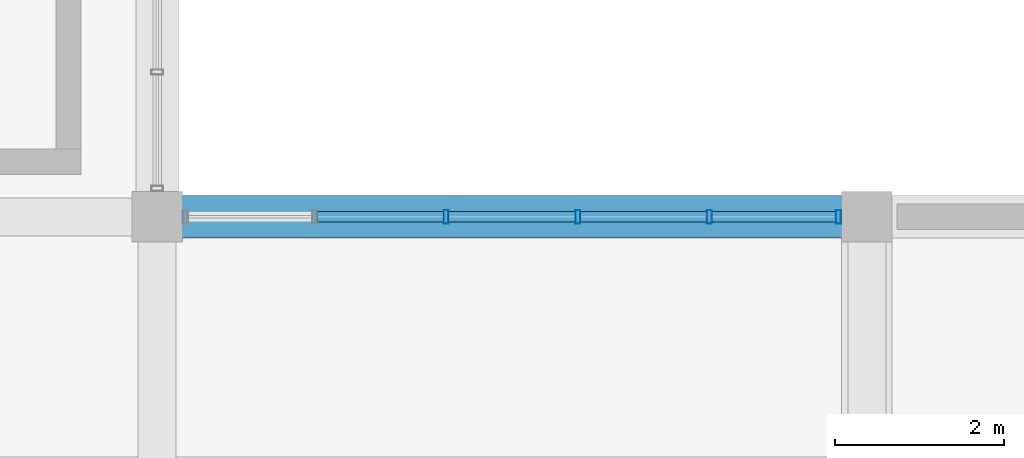
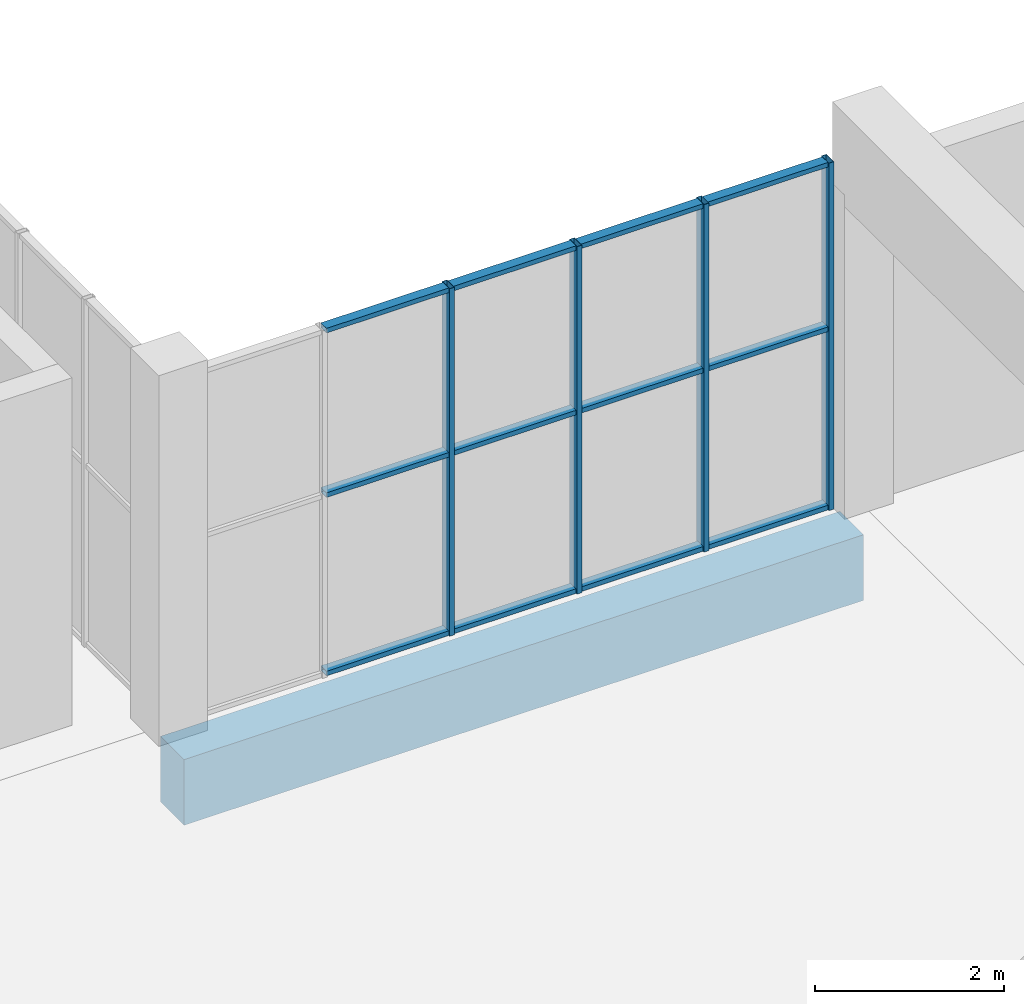
# One storey, part 33 of 80: 16 members, 1 beam, 1 element without a shape of its own.
"""IFC4 building model written with IfcOpenShell, lengths in metres."""

from ifc_helpers import new_model, si_unit, direction, frame, origin, origin_2d, place, context, subcontext, project, spatial, rectangle, hollow_rectangle, extrude, material, material_profile, profile_set, type_object, element, aggregate, save


model = new_model("IFC4")

# Units and contexts
model_context = context("Model", 3, precision=1e-05, world=origin(), true_north=direction((0.0, 1.0)))
body_context = subcontext(model_context, "Body", "Model", "MODEL_VIEW")
ifc_project = project(units=[si_unit("LENGTHUNIT", "METRE"), si_unit("AREAUNIT", "SQUARE_METRE"), si_unit("VOLUMEUNIT", "CUBIC_METRE"), si_unit("PLANEANGLEUNIT", "RADIAN"), si_unit("MASSUNIT", "GRAM", prefix="KILO")], contexts=[model_context])

# Site, building, storey
site_placement = place(None, origin())
site = spatial("IfcSite", under=ifc_project, at=site_placement, CompositionType="ELEMENT")
building_placement = place(site_placement, origin())
building = spatial("IfcBuilding", under=site, at=building_placement, Name="Khurvash Pelagic Aquarium", CompositionType="ELEMENT")
storey_placement = place(building_placement, frame((0.0, 0.0, 10.800048828125)))
storey = spatial("IfcBuildingStorey", under=building, at=storey_placement, Name="L02", CompositionType="ELEMENT", Elevation=10.800048828125)

# Curtain wall, members
ifc_material_1 = material(Name="Anodised aluminium and low-E laminated glass", Category="aluminium")
curtain_wall_type = type_object("IfcCurtainWallType", Name="CW-06", PredefinedType="USERDEFINED", material=ifc_material_1)
curtain_wall_placement = place(storey_placement, origin())
curtain_wall = element("IfcCurtainWall", 1, at=curtain_wall_placement, inside=storey, type_object=curtain_wall_type, Name="L02 Facade Unitised Curtain Wall CW-06 0161", ObjectType="UNITISED CURTAIN WALL", PredefinedType="USERDEFINED")
ifc_material_2 = material(Name="Extruded aluminium AW-6063-T6", Category="aluminium")
ifc_material_profile_1 = material_profile(ifc_material_2, hollow_rectangle(XDim=0.06005859375, YDim=0.159912109375, WallThickness=0.00390625, at=origin_2d()), Name="CWM60X160X4")
ifc_profile_set_1 = profile_set([ifc_material_profile_1], Name="Extruded aluminium AW-6063-T6")
member_type_1 = type_object("IfcMemberType", Name="CM-02", PredefinedType="MULLION", material=ifc_profile_set_1)
member_1_placement = place(storey_placement, frame((125.6650390625, 84.050048828125, 0.0), z_axis=(0.0, 0.0, 1.0), x_axis=(-1.0, 0.0, 0.0)))
member_1 = element("IfcMember", 2, at=member_1_placement, type_object=member_type_1, Name="CW-06 mullion 1", PredefinedType="MULLION", context=body_context, shape_type="SweptSolid", body=[
    extrude(hollow_rectangle(XDim=0.06005859375, YDim=0.159912109375, WallThickness=0.00390625, at=origin_2d()), origin(), (0.0, 0.0, 1.0), 4.5),
])
member_2_placement = place(storey_placement, frame((124.136962890625, 84.050048828125, 0.0), z_axis=(0.0, 0.0, 1.0), x_axis=(-1.0, 0.0, 0.0)))
member_2 = element("IfcMember", 3, at=member_2_placement, type_object=member_type_1, Name="CW-06 mullion 2", PredefinedType="MULLION", context=body_context, shape_type="SweptSolid", body=[
    extrude(hollow_rectangle(XDim=0.06005859375, YDim=0.159912109375, WallThickness=0.00390625, at=origin_2d()), origin(), (0.0, 0.0, 1.0), 4.5),
])
member_3_placement = place(storey_placement, frame((122.5791015625, 84.050048828125, 0.0), z_axis=(0.0, 0.0, 1.0), x_axis=(-1.0, 0.0, 0.0)))
member_3 = element("IfcMember", 4, at=member_3_placement, type_object=member_type_1, Name="CW-06 mullion 3", PredefinedType="MULLION", context=body_context, shape_type="SweptSolid", body=[
    extrude(hollow_rectangle(XDim=0.06005859375, YDim=0.159912109375, WallThickness=0.00390625, at=origin_2d()), origin(), (0.0, 0.0, 1.0), 4.5),
])
member_4_placement = place(storey_placement, frame((121.02099609375, 84.050048828125, 0.0), z_axis=(0.0, 0.0, 1.0), x_axis=(-1.0, 0.0, 0.0)))
member_4 = element("IfcMember", 5, at=member_4_placement, type_object=member_type_1, Name="CW-06 mullion 4", PredefinedType="MULLION", context=body_context, shape_type="SweptSolid", body=[
    extrude(hollow_rectangle(XDim=0.06005859375, YDim=0.159912109375, WallThickness=0.00390625, at=origin_2d()), origin(), (0.0, 0.0, 1.0), 4.5),
])
ifc_material_profile_2 = material_profile(ifc_material_2, hollow_rectangle(XDim=0.1201171875, YDim=0.06005859375, WallThickness=0.00390625, at=origin_2d()), Name="CWT120X60X4")
ifc_profile_set_2 = profile_set([ifc_material_profile_2], Name="Extruded aluminium AW-6063-T6")
member_type_2 = type_object("IfcMemberType", Name="CT-02", PredefinedType="USERDEFINED", material=ifc_profile_set_2)
member_5_placement = place(storey_placement, frame((125.635009765625, 84.050048828125, 0.030029296875), z_axis=(-1.0, 0.0, 0.0), x_axis=(0.0, -1.0, 0.0)))
member_5 = element("IfcMember", 6, at=member_5_placement, type_object=member_type_2, Name="CW-06 transom 1.1", ObjectType="TRANSOM", PredefinedType="USERDEFINED", context=body_context, shape_type="SweptSolid", body=[
    extrude(hollow_rectangle(XDim=0.1201171875, YDim=0.06005859375, WallThickness=0.00390625, at=origin_2d()), origin(), (0.0, 0.0, 1.0), 1.468017578125),
])
member_6_placement = place(storey_placement, frame((125.635009765625, 84.050048828125, 2.33984375), z_axis=(-1.0, 0.0, 0.0), x_axis=(0.0, -1.0, 0.0)))
member_6 = element("IfcMember", 7, at=member_6_placement, type_object=member_type_2, Name="CW-06 transom 1.2", ObjectType="TRANSOM", PredefinedType="USERDEFINED", context=body_context, shape_type="SweptSolid", body=[
    extrude(hollow_rectangle(XDim=0.1201171875, YDim=0.06005859375, WallThickness=0.00390625, at=origin_2d()), origin(), (0.0, 0.0, 1.0), 1.468017578125),
])
member_7_placement = place(storey_placement, frame((125.635009765625, 84.050048828125, 4.469970703125), z_axis=(-1.0, 0.0, 0.0), x_axis=(0.0, -1.0, 0.0)))
member_7 = element("IfcMember", 8, at=member_7_placement, type_object=member_type_2, Name="CW-06 transom 1.3", ObjectType="TRANSOM", PredefinedType="USERDEFINED", context=body_context, shape_type="SweptSolid", body=[
    extrude(hollow_rectangle(XDim=0.1201171875, YDim=0.06005859375, WallThickness=0.00390625, at=origin_2d()), origin(), (0.0, 0.0, 1.0), 1.468017578125),
])
member_8_placement = place(storey_placement, frame((124.10693359375, 84.050048828125, 0.030029296875), z_axis=(-1.0, 0.0, 0.0), x_axis=(0.0, -1.0, 0.0)))
member_8 = element("IfcMember", 9, at=member_8_placement, type_object=member_type_2, Name="CW-06 transom 2.1", ObjectType="TRANSOM", PredefinedType="USERDEFINED", context=body_context, shape_type="SweptSolid", body=[
    extrude(hollow_rectangle(XDim=0.1201171875, YDim=0.06005859375, WallThickness=0.00390625, at=origin_2d()), origin(), (0.0, 0.0, 1.0), 1.498046875),
])
member_9_placement = place(storey_placement, frame((124.10693359375, 84.050048828125, 2.33984375), z_axis=(-1.0, 0.0, 0.0), x_axis=(0.0, -1.0, 0.0)))
member_9 = element("IfcMember", 10, at=member_9_placement, type_object=member_type_2, Name="CW-06 transom 2.2", ObjectType="TRANSOM", PredefinedType="USERDEFINED", context=body_context, shape_type="SweptSolid", body=[
    extrude(hollow_rectangle(XDim=0.1201171875, YDim=0.06005859375, WallThickness=0.00390625, at=origin_2d()), origin(), (0.0, 0.0, 1.0), 1.498046875),
])
member_10_placement = place(storey_placement, frame((124.10693359375, 84.050048828125, 4.469970703125), z_axis=(-1.0, 0.0, 0.0), x_axis=(0.0, -1.0, 0.0)))
member_10 = element("IfcMember", 11, at=member_10_placement, type_object=member_type_2, Name="CW-06 transom 2.3", ObjectType="TRANSOM", PredefinedType="USERDEFINED", context=body_context, shape_type="SweptSolid", body=[
    extrude(hollow_rectangle(XDim=0.1201171875, YDim=0.06005859375, WallThickness=0.00390625, at=origin_2d()), origin(), (0.0, 0.0, 1.0), 1.498046875),
])
member_11_placement = place(storey_placement, frame((122.549072265625, 84.050048828125, 0.030029296875), z_axis=(-1.0, 0.0, 0.0), x_axis=(0.0, -1.0, 0.0)))
member_11 = element("IfcMember", 12, at=member_11_placement, type_object=member_type_2, Name="CW-06 transom 3.1", ObjectType="TRANSOM", PredefinedType="USERDEFINED", context=body_context, shape_type="SweptSolid", body=[
    extrude(hollow_rectangle(XDim=0.1201171875, YDim=0.06005859375, WallThickness=0.00390625, at=origin_2d()), origin(), (0.0, 0.0, 1.0), 1.498046875),
])
member_12_placement = place(storey_placement, frame((122.549072265625, 84.050048828125, 2.33984375), z_axis=(-1.0, 0.0, 0.0), x_axis=(0.0, -1.0, 0.0)))
member_12 = element("IfcMember", 13, at=member_12_placement, type_object=member_type_2, Name="CW-06 transom 3.2", ObjectType="TRANSOM", PredefinedType="USERDEFINED", context=body_context, shape_type="SweptSolid", body=[
    extrude(hollow_rectangle(XDim=0.1201171875, YDim=0.06005859375, WallThickness=0.00390625, at=origin_2d()), origin(), (0.0, 0.0, 1.0), 1.498046875),
])
member_13_placement = place(storey_placement, frame((122.549072265625, 84.050048828125, 4.469970703125), z_axis=(-1.0, 0.0, 0.0), x_axis=(0.0, -1.0, 0.0)))
member_13 = element("IfcMember", 14, at=member_13_placement, type_object=member_type_2, Name="CW-06 transom 3.3", ObjectType="TRANSOM", PredefinedType="USERDEFINED", context=body_context, shape_type="SweptSolid", body=[
    extrude(hollow_rectangle(XDim=0.1201171875, YDim=0.06005859375, WallThickness=0.00390625, at=origin_2d()), origin(), (0.0, 0.0, 1.0), 1.498046875),
])
member_14_placement = place(storey_placement, frame((120.990966796875, 84.050048828125, 0.030029296875), z_axis=(-1.0, 0.0, 0.0), x_axis=(0.0, -1.0, 0.0)))
member_14 = element("IfcMember", 15, at=member_14_placement, type_object=member_type_2, Name="CW-06 transom 4.1", ObjectType="TRANSOM", PredefinedType="USERDEFINED", context=body_context, shape_type="SweptSolid", body=[
    extrude(hollow_rectangle(XDim=0.1201171875, YDim=0.06005859375, WallThickness=0.00390625, at=origin_2d()), origin(), (0.0, 0.0, 1.0), 1.498046875),
])
member_15_placement = place(storey_placement, frame((120.990966796875, 84.050048828125, 2.33984375), z_axis=(-1.0, 0.0, 0.0), x_axis=(0.0, -1.0, 0.0)))
member_15 = element("IfcMember", 16, at=member_15_placement, type_object=member_type_2, Name="CW-06 transom 4.2", ObjectType="TRANSOM", PredefinedType="USERDEFINED", context=body_context, shape_type="SweptSolid", body=[
    extrude(hollow_rectangle(XDim=0.1201171875, YDim=0.06005859375, WallThickness=0.00390625, at=origin_2d()), origin(), (0.0, 0.0, 1.0), 1.498046875),
])
member_16_placement = place(storey_placement, frame((120.990966796875, 84.050048828125, 4.469970703125), z_axis=(-1.0, 0.0, 0.0), x_axis=(0.0, -1.0, 0.0)))
member_16 = element("IfcMember", 17, at=member_16_placement, type_object=member_type_2, Name="CW-06 transom 4.3", ObjectType="TRANSOM", PredefinedType="USERDEFINED", context=body_context, shape_type="SweptSolid", body=[
    extrude(hollow_rectangle(XDim=0.1201171875, YDim=0.06005859375, WallThickness=0.00390625, at=origin_2d()), origin(), (0.0, 0.0, 1.0), 1.498046875),
])
aggregate(curtain_wall, [member_1, member_2, member_3, member_4, member_5, member_6, member_7, member_8, member_9, member_10, member_11, member_12, member_13, member_14, member_15, member_16])

# Beam
ifc_material_3 = material(Name="Concrete C40/50", Category="concrete")
ifc_material_profile_3 = material_profile(ifc_material_3, rectangle(XDim=0.5, YDim=0.85009765625, at=origin_2d()), Name="RC500X850")
ifc_profile_set_3 = profile_set([ifc_material_profile_3], Name="Concrete C40/50")
beam_type = type_object("IfcBeamType", Name="SEB-03", PredefinedType="SPANDREL", material=ifc_profile_set_3)
beam_placement = place(storey_placement, frame((117.639892578125, 84.050048828125, -0.7451171875), z_axis=(1.0, 0.0, 0.0), x_axis=(0.0, 1.0, 0.0)))
element("IfcBeam", 18, at=beam_placement, inside=storey, type_object=beam_type, Name="L02 Primary Girder SEB-03 00623", PredefinedType="SPANDREL", context=body_context, shape_type="SweptSolid", body=[
    extrude(rectangle(XDim=0.5, YDim=0.85009765625, at=origin_2d()), origin(), (0.0, 0.0, 1.0), 8.320068359375),
])

save(model, "model.ifc")
